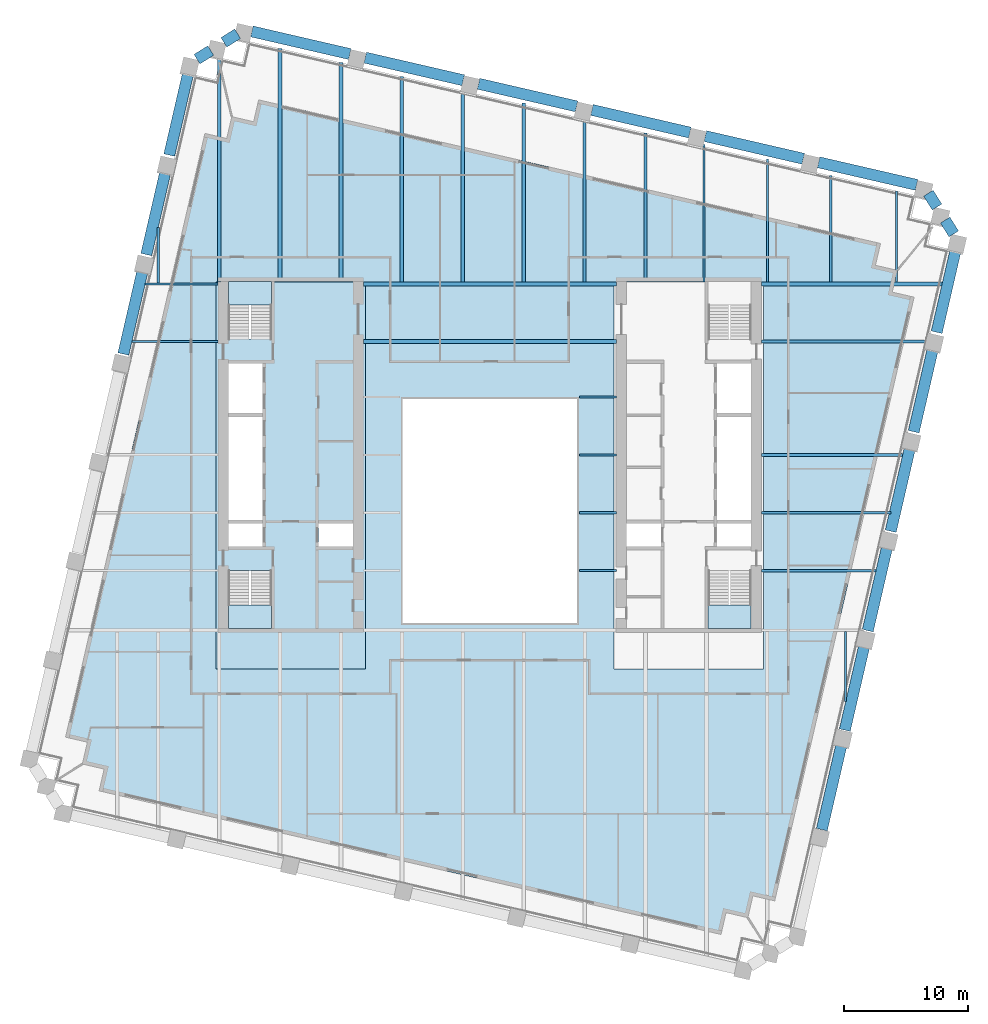
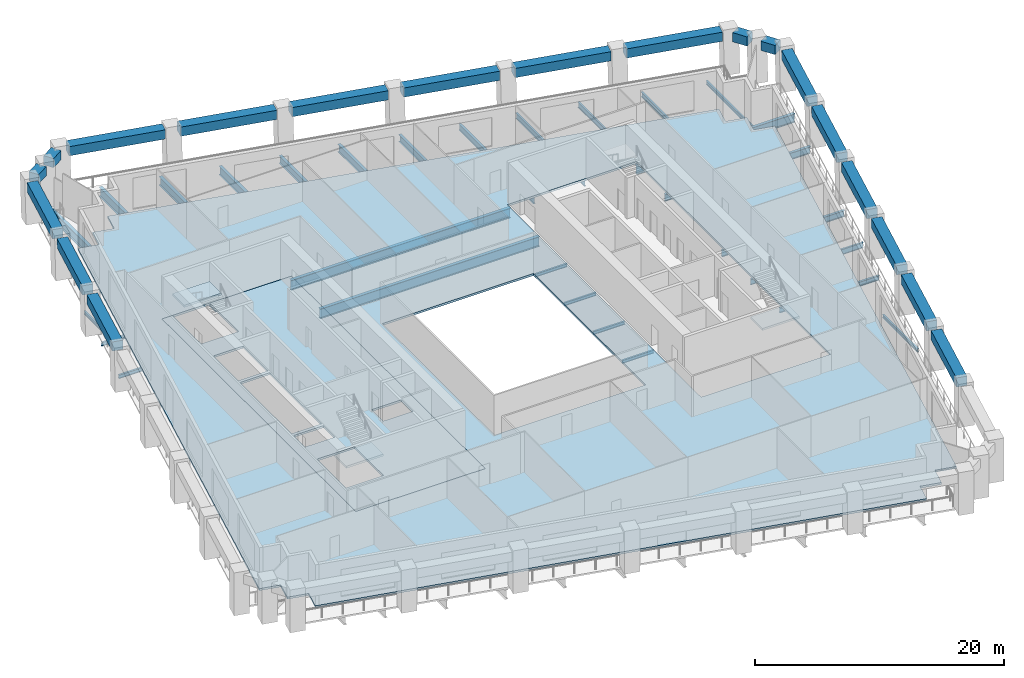
# One storey, part 2 of 9: 46 beams, 5 slabs, 3 elements without a shape of their own.
"""IFC4 building model written with IfcOpenShell, lengths in metres."""

from ifc_helpers import new_model, si_unit, direction, frame, origin, origin_2d, place, context, subcontext, project, spatial, polyline, rectangle, i_section, outline, extrude, material, layer, layer_set, material_profile, profile_set, type_object, element, aggregate, save


model = new_model("IFC4")

# Units and contexts
model_context = context("Model", 3, precision=1e-05, world=origin(), true_north=direction((0.0, 1.0)))
body_context = subcontext(model_context, "Body", "Model", "MODEL_VIEW")
ifc_project = project(units=[si_unit("LENGTHUNIT", "METRE"), si_unit("AREAUNIT", "SQUARE_METRE"), si_unit("VOLUMEUNIT", "CUBIC_METRE"), si_unit("PLANEANGLEUNIT", "RADIAN"), si_unit("MASSUNIT", "GRAM", prefix="KILO")], contexts=[model_context])

# Site, building, storey
site_placement = place(None, origin())
site = spatial("IfcSite", under=ifc_project, at=site_placement, CompositionType="ELEMENT")
building_placement = place(site_placement, origin())
building = spatial("IfcBuilding", under=site, at=building_placement, Name="Ogive Exchange Tower", CompositionType="ELEMENT")
storey_placement = place(building_placement, frame((0.0, 0.0, 126.60009765625)))
storey = spatial("IfcBuildingStorey", under=building, at=storey_placement, Name="L27", CompositionType="ELEMENT", Elevation=126.60009765625)

# Beams
ifc_material_1 = material(Name="Steel ASTM A992 Gr50", Category="steel")
ifc_material_profile_1 = material_profile(ifc_material_1, i_section(OverallWidth=0.300048828125, OverallDepth=0.969970703125, WebThickness=0.01611328125, FlangeThickness=0.02099609375, at=origin_2d()), Name="W1000x222")
ifc_profile_set_1 = profile_set([ifc_material_profile_1], Name="Steel ASTM A992 Gr50")
beam_type_1 = type_object("IfcBeamType", Name="Floor beam W1000x222", PredefinedType="JOIST", material=ifc_profile_set_1)
beam_1_placement = place(storey_placement, frame((-10.169921875, 20.62255859375, -0.68505859375), z_axis=(1.0, 0.0, 0.0), x_axis=(0.0, 1.0, 0.0)))
element("IfcBeam", 1, at=beam_1_placement, inside=storey, type_object=beam_type_1, Name="Floor beam", PredefinedType="JOIST", context=body_context, shape_type="SweptSolid", body=[
    extrude(i_section(OverallWidth=0.300048828125, OverallDepth=0.969970703125, WebThickness=0.01611328125, FlangeThickness=0.02099609375, at=origin_2d()), origin(), (0.0, 0.0, 1.0), 20.33984375),
])
ifc_material_profile_2 = material_profile(ifc_material_1, i_section(OverallWidth=0.1650390625, OverallDepth=0.31005859375, WebThickness=0.005859375, FlangeThickness=0.009765625, at=origin_2d()), Name="W310x38.7")
ifc_profile_set_2 = profile_set([ifc_material_profile_2], Name="Steel ASTM A992 Gr50")
beam_type_2 = type_object("IfcBeamType", Name="Floor beam W310x38.7", PredefinedType="JOIST", material=ifc_profile_set_2)
for number, where, z_axis, x_axis, name in (
    (2, (7.219970703125, 2.208740234375, -0.35498046875), (1.0, 0.0, 0.0), (0.0, 1.0, 0.0), "Floor beam"),
    (3, (7.219970703125, 6.857421875, -0.35498046875), (1.0, 0.0, 0.0), (0.0, 1.0, 0.0), "Floor beam"),
    (4, (7.219970703125, 11.50634765625, -0.35498046875), (1.0, 0.0, 0.0), (0.0, 1.0, 0.0), "Floor beam"),
):
    element("IfcBeam", number, at=place(storey_placement, frame(where, z_axis=z_axis, x_axis=x_axis)), inside=storey, type_object=beam_type_2, Name=name, PredefinedType="JOIST", context=body_context, shape_type="SweptSolid", body=[
        extrude(i_section(OverallWidth=0.1650390625, OverallDepth=0.31005859375, WebThickness=0.005859375, FlangeThickness=0.009765625, at=origin_2d()), origin(), (0.0, 0.0, 1.0), 2.949951171875),
    ])
beam_2_placement = place(storey_placement, frame((28.601318359375, -8.310546875, -0.35498046875), z_axis=(0.0, 1.0, 0.0), x_axis=(-1.0, 0.0, 0.0)))
element("IfcBeam", 5, at=beam_2_placement, inside=storey, type_object=beam_type_2, Name="Floor beam", PredefinedType="JOIST", context=body_context, shape_type="SweptSolid", body=[
    extrude(i_section(OverallWidth=0.1650390625, OverallDepth=0.31005859375, WebThickness=0.005859375, FlangeThickness=0.009765625, at=origin_2d()), origin(), (0.0, 0.0, 1.0), 5.61962890625),
])
beam_3_placement = place(storey_placement, frame((-26.6494140625, 25.33056640625, -0.35498046875), z_axis=(0.0, 1.0, 0.0), x_axis=(-1.0, 0.0, 0.0)))
element("IfcBeam", 6, at=beam_3_placement, inside=storey, type_object=beam_type_2, Name="Floor beam", PredefinedType="JOIST", context=body_context, shape_type="SweptSolid", body=[
    extrude(i_section(OverallWidth=0.1650390625, OverallDepth=0.31005859375, WebThickness=0.005859375, FlangeThickness=0.009765625, at=origin_2d()), origin(), (0.0, 0.0, 1.0), 4.435546875),
])
ifc_material_profile_3 = material_profile(ifc_material_1, i_section(OverallWidth=0.1708984375, OverallDepth=0.35595703125, WebThickness=0.00732421875, FlangeThickness=0.01171875, at=origin_2d()), Name="W360x51")
ifc_profile_set_3 = profile_set([ifc_material_profile_3], Name="Steel ASTM A992 Gr50")
beam_type_3 = type_object("IfcBeamType", Name="Floor beam W360x51", PredefinedType="JOIST", material=ifc_profile_set_3)
beam_4_placement = place(storey_placement, frame((-28.76025390625, 20.62255859375, -0.378173828125), z_axis=(1.0, 0.0, 0.0), x_axis=(0.0, 1.0, 0.0)))
element("IfcBeam", 7, at=beam_4_placement, inside=storey, type_object=beam_type_3, Name="Floor beam", PredefinedType="JOIST", context=body_context, shape_type="SweptSolid", body=[
    extrude(i_section(OverallWidth=0.1708984375, OverallDepth=0.35595703125, WebThickness=0.00732421875, FlangeThickness=0.01171875, at=origin_2d()), origin(), (0.0, 0.0, 1.0), 6.93017578125),
])
beam_5_placement = place(storey_placement, frame((32.697021484375, 25.39111328125, -0.378173828125), z_axis=(0.0, 1.0, 0.0), x_axis=(-1.0, 0.0, 0.0)))
element("IfcBeam", 8, at=beam_5_placement, inside=storey, type_object=beam_type_3, Name="Floor beam", PredefinedType="JOIST", context=body_context, shape_type="SweptSolid", body=[
    extrude(i_section(OverallWidth=0.1708984375, OverallDepth=0.35595703125, WebThickness=0.00732421875, FlangeThickness=0.01171875, at=origin_2d()), origin(), (0.0, 0.0, 1.0), 7.330322265625),
])
ifc_material_profile_4 = material_profile(ifc_material_1, i_section(OverallWidth=0.19091796875, OverallDepth=0.45703125, WebThickness=0.009033203125, FlangeThickness=0.014404296875, at=origin_2d()), Name="W460x74")
ifc_profile_set_4 = profile_set([ifc_material_profile_4], Name="Steel ASTM A992 Gr50")
beam_type_4 = type_object("IfcBeamType", Name="Floor beam W460x74", PredefinedType="JOIST", material=ifc_profile_set_4)
beam_6_placement = place(storey_placement, frame((21.830078125, 2.208740234375, -0.4287109375), z_axis=(1.0, 0.0, 0.0), x_axis=(0.0, 1.0, 0.0)))
element("IfcBeam", 9, at=beam_6_placement, inside=storey, type_object=beam_type_4, Name="Floor beam", PredefinedType="JOIST", context=body_context, shape_type="SweptSolid", body=[
    extrude(i_section(OverallWidth=0.19091796875, OverallDepth=0.45703125, WebThickness=0.009033203125, FlangeThickness=0.014404296875, at=origin_2d()), origin(), (0.0, 0.0, 1.0), 9.199951171875),
])
beam_7_placement = place(storey_placement, frame((27.4013671875, 25.39111328125, -0.4287109375), z_axis=(0.0, 1.0, 0.0), x_axis=(-1.0, 0.0, 0.0)))
element("IfcBeam", 10, at=beam_7_placement, inside=storey, type_object=beam_type_4, Name="Floor beam", PredefinedType="JOIST", context=body_context, shape_type="SweptSolid", body=[
    extrude(i_section(OverallWidth=0.19091796875, OverallDepth=0.45703125, WebThickness=0.009033203125, FlangeThickness=0.014404296875, at=origin_2d()), origin(), (0.0, 0.0, 1.0), 8.552978515625),
])
ifc_material_profile_5 = material_profile(ifc_material_1, i_section(OverallWidth=0.1669921875, OverallDepth=0.535888671875, WebThickness=0.01025390625, FlangeThickness=0.0166015625, at=origin_2d()), Name="W530x85")
ifc_profile_set_5 = profile_set([ifc_material_profile_5], Name="Steel ASTM A992 Gr50")
beam_type_5 = type_object("IfcBeamType", Name="Floor beam W530x85", PredefinedType="JOIST", material=ifc_profile_set_5)
beam_8_placement = place(storey_placement, frame((21.830078125, 6.857421875, -0.468017578125), z_axis=(1.0, 0.0, 0.0), x_axis=(0.0, 1.0, 0.0)))
element("IfcBeam", 11, at=beam_8_placement, inside=storey, type_object=beam_type_5, Name="Floor beam", PredefinedType="JOIST", context=body_context, shape_type="SweptSolid", body=[
    extrude(i_section(OverallWidth=0.1669921875, OverallDepth=0.535888671875, WebThickness=0.01025390625, FlangeThickness=0.0166015625, at=origin_2d()), origin(), (0.0, 0.0, 1.0), 10.423095703125),
])
beam_9_placement = place(storey_placement, frame((17.21044921875, 25.39990234375, -0.468017578125), z_axis=(0.0, 1.0, 0.0), x_axis=(-1.0, 0.0, 0.0)))
element("IfcBeam", 12, at=beam_9_placement, inside=storey, type_object=beam_type_5, Name="Floor beam", PredefinedType="JOIST", context=body_context, shape_type="SweptSolid", body=[
    extrude(i_section(OverallWidth=0.1669921875, OverallDepth=0.535888671875, WebThickness=0.01025390625, FlangeThickness=0.0166015625, at=origin_2d()), origin(), (0.0, 0.0, 1.0), 11.046875),
])
beam_10_placement = place(storey_placement, frame((22.305908203125, 25.39111328125, -0.468017578125), z_axis=(0.0, 1.0, 0.0), x_axis=(-1.0, 0.0, 0.0)))
element("IfcBeam", 13, at=beam_10_placement, inside=storey, type_object=beam_type_5, Name="Floor beam", PredefinedType="JOIST", context=body_context, shape_type="SweptSolid", body=[
    extrude(i_section(OverallWidth=0.1669921875, OverallDepth=0.535888671875, WebThickness=0.01025390625, FlangeThickness=0.0166015625, at=origin_2d()), origin(), (0.0, 0.0, 1.0), 9.879150390625),
])
ifc_material_profile_6 = material_profile(ifc_material_1, i_section(OverallWidth=0.22802734375, OverallDepth=0.60205078125, WebThickness=0.010498046875, FlangeThickness=0.014892578125, at=origin_2d()), Name="W610x101")
ifc_profile_set_6 = profile_set([ifc_material_profile_6], Name="Steel ASTM A992 Gr50")
beam_type_6 = type_object("IfcBeamType", Name="Floor beam W610x101", PredefinedType="JOIST", material=ifc_profile_set_6)
beam_11_placement = place(storey_placement, frame((21.830078125, 11.50634765625, -0.5009765625), z_axis=(1.0, 0.0, 0.0), x_axis=(0.0, 1.0, 0.0)))
element("IfcBeam", 14, at=beam_11_placement, inside=storey, type_object=beam_type_6, Name="Floor beam", PredefinedType="JOIST", context=body_context, shape_type="SweptSolid", body=[
    extrude(i_section(OverallWidth=0.22802734375, OverallDepth=0.60205078125, WebThickness=0.010498046875, FlangeThickness=0.014892578125, at=origin_2d()), origin(), (0.0, 0.0, 1.0), 11.346435546875),
])
beam_12_placement = place(storey_placement, frame((12.514892578125, 25.39990234375, -0.5009765625), z_axis=(0.0, 1.0, 0.0), x_axis=(-1.0, 0.0, 0.0)))
element("IfcBeam", 15, at=beam_12_placement, inside=storey, type_object=beam_type_6, Name="Floor beam", PredefinedType="JOIST", context=body_context, shape_type="SweptSolid", body=[
    extrude(i_section(OverallWidth=0.22802734375, OverallDepth=0.60205078125, WebThickness=0.010498046875, FlangeThickness=0.014892578125, at=origin_2d()), origin(), (0.0, 0.0, 1.0), 11.98095703125),
])
ifc_material_profile_7 = material_profile(ifc_material_1, i_section(OverallWidth=0.25390625, OverallDepth=0.677978515625, WebThickness=0.01171875, FlangeThickness=0.016357421875, at=origin_2d()), Name="W690x125")
ifc_profile_set_7 = profile_set([ifc_material_profile_7], Name="Steel ASTM A992 Gr50")
beam_type_7 = type_object("IfcBeamType", Name="Floor beam W690x125", PredefinedType="JOIST", material=ifc_profile_set_7)
beam_13_placement = place(storey_placement, frame((21.830078125, 20.62255859375, -0.5390625), z_axis=(1.0, 0.0, 0.0), x_axis=(0.0, 1.0, 0.0)))
element("IfcBeam", 16, at=beam_13_placement, inside=storey, type_object=beam_type_7, Name="Floor beam", PredefinedType="JOIST", context=body_context, shape_type="SweptSolid", body=[
    extrude(i_section(OverallWidth=0.25390625, OverallDepth=0.677978515625, WebThickness=0.01171875, FlangeThickness=0.016357421875, at=origin_2d()), origin(), (0.0, 0.0, 1.0), 13.450927734375),
])
beam_14_placement = place(storey_placement, frame((7.619384765625, 25.39501953125, -0.5390625), z_axis=(0.0, 1.0, 0.0), x_axis=(-1.0, 0.0, 0.0)))
element("IfcBeam", 17, at=beam_14_placement, inside=storey, type_object=beam_type_7, Name="Floor beam", PredefinedType="JOIST", context=body_context, shape_type="SweptSolid", body=[
    extrude(i_section(OverallWidth=0.25390625, OverallDepth=0.677978515625, WebThickness=0.01171875, FlangeThickness=0.016357421875, at=origin_2d()), origin(), (0.0, 0.0, 1.0), 13.115966796875),
])
ifc_material_profile_8 = material_profile(ifc_material_1, i_section(OverallWidth=0.26708984375, OverallDepth=0.75390625, WebThickness=0.01318359375, FlangeThickness=0.01708984375, at=origin_2d()), Name="W760x147")
ifc_profile_set_8 = profile_set([ifc_material_profile_8], Name="Steel ASTM A992 Gr50")
beam_type_8 = type_object("IfcBeamType", Name="Floor beam W760x147", PredefinedType="JOIST", material=ifc_profile_set_8)
beam_15_placement = place(storey_placement, frame((-2.171630859375, 25.39501953125, -0.5771484375), z_axis=(0.0, 1.0, 0.0), x_axis=(-1.0, 0.0, 0.0)))
element("IfcBeam", 18, at=beam_15_placement, inside=storey, type_object=beam_type_8, Name="Floor beam", PredefinedType="JOIST", context=body_context, shape_type="SweptSolid", body=[
    extrude(i_section(OverallWidth=0.26708984375, OverallDepth=0.75390625, WebThickness=0.01318359375, FlangeThickness=0.01708984375, at=origin_2d()), origin(), (0.0, 0.0, 1.0), 15.37646484375),
])
beam_16_placement = place(storey_placement, frame((2.723876953125, 25.39501953125, -0.5771484375), z_axis=(0.0, 1.0, 0.0), x_axis=(-1.0, 0.0, 0.0)))
element("IfcBeam", 19, at=beam_16_placement, inside=storey, type_object=beam_type_8, Name="Floor beam", PredefinedType="JOIST", context=body_context, shape_type="SweptSolid", body=[
    extrude(i_section(OverallWidth=0.26708984375, OverallDepth=0.75390625, WebThickness=0.01318359375, FlangeThickness=0.01708984375, at=origin_2d()), origin(), (0.0, 0.0, 1.0), 14.396240234375),
])
ifc_material_profile_9 = material_profile(ifc_material_1, i_section(OverallWidth=0.2919921875, OverallDepth=0.8359375, WebThickness=0.013916015625, FlangeThickness=0.018798828125, at=origin_2d()), Name="W840x176")
ifc_profile_set_9 = profile_set([ifc_material_profile_9], Name="Steel ASTM A992 Gr50")
beam_type_9 = type_object("IfcBeamType", Name="Floor beam W840x176", PredefinedType="JOIST", material=ifc_profile_set_9)
beam_17_placement = place(storey_placement, frame((-7.067138671875, 25.39501953125, -0.6181640625), z_axis=(0.0, 1.0, 0.0), x_axis=(-1.0, 0.0, 0.0)))
element("IfcBeam", 20, at=beam_17_placement, inside=storey, type_object=beam_type_9, Name="Floor beam", PredefinedType="JOIST", context=body_context, shape_type="SweptSolid", body=[
    extrude(i_section(OverallWidth=0.2919921875, OverallDepth=0.8359375, WebThickness=0.013916015625, FlangeThickness=0.018798828125, at=origin_2d()), origin(), (0.0, 0.0, 1.0), 16.506591796875),
])
ifc_material_profile_10 = material_profile(ifc_material_1, i_section(OverallWidth=0.2919921875, OverallDepth=0.845947265625, WebThickness=0.015380859375, FlangeThickness=0.0244140625, at=origin_2d()), Name="W840x210")
ifc_profile_set_10 = profile_set([ifc_material_profile_10], Name="Steel ASTM A992 Gr50")
beam_type_10 = type_object("IfcBeamType", Name="Floor beam W840x210", PredefinedType="JOIST", material=ifc_profile_set_10)
beam_18_placement = place(storey_placement, frame((-11.962646484375, 25.39990234375, -0.623046875), z_axis=(0.0, 1.0, 0.0), x_axis=(-1.0, 0.0, 0.0)))
element("IfcBeam", 21, at=beam_18_placement, inside=storey, type_object=beam_type_10, Name="Floor beam", PredefinedType="JOIST", context=body_context, shape_type="SweptSolid", body=[
    extrude(i_section(OverallWidth=0.2919921875, OverallDepth=0.845947265625, WebThickness=0.015380859375, FlangeThickness=0.0244140625, at=origin_2d()), origin(), (0.0, 0.0, 1.0), 17.632080078125),
])
ifc_material_profile_11 = material_profile(ifc_material_1, i_section(OverallWidth=0.304931640625, OverallDepth=0.904052734375, WebThickness=0.01513671875, FlangeThickness=0.02001953125, at=origin_2d()), Name="W920x201")
ifc_profile_set_11 = profile_set([ifc_material_profile_11], Name="Steel ASTM A992 Gr50")
beam_type_11 = type_object("IfcBeamType", Name="Floor beam W920x201", PredefinedType="JOIST", material=ifc_profile_set_11)
beam_19_placement = place(storey_placement, frame((-21.753662109375, 25.39990234375, -0.652099609375), z_axis=(0.0, 1.0, 0.0), x_axis=(-1.0, 0.0, 0.0)))
element("IfcBeam", 22, at=beam_19_placement, inside=storey, type_object=beam_type_11, Name="Floor beam", PredefinedType="JOIST", context=body_context, shape_type="SweptSolid", body=[
    extrude(i_section(OverallWidth=0.304931640625, OverallDepth=0.904052734375, WebThickness=0.01513671875, FlangeThickness=0.02001953125, at=origin_2d()), origin(), (0.0, 0.0, 1.0), 17.98974609375),
])
beam_20_placement = place(storey_placement, frame((-16.858154296875, 25.39990234375, -0.652099609375), z_axis=(0.0, 1.0, 0.0), x_axis=(-1.0, 0.0, 0.0)))
element("IfcBeam", 23, at=beam_20_placement, inside=storey, type_object=beam_type_11, Name="Floor beam", PredefinedType="JOIST", context=body_context, shape_type="SweptSolid", body=[
    extrude(i_section(OverallWidth=0.304931640625, OverallDepth=0.904052734375, WebThickness=0.01513671875, FlangeThickness=0.02001953125, at=origin_2d()), origin(), (0.0, 0.0, 1.0), 18.76220703125),
])
ifc_material_profile_12 = material_profile(ifc_material_1, i_section(OverallWidth=0.300048828125, OverallDepth=0.97998046875, WebThickness=0.0166015625, FlangeThickness=0.026123046875, at=origin_2d()), Name="W1000x249")
ifc_profile_set_12 = profile_set([ifc_material_profile_12], Name="Steel ASTM A992 Gr50")
beam_type_12 = type_object("IfcBeamType", Name="Girder W1000x249", PredefinedType="BEAM", material=ifc_profile_set_12)
beam_21_placement = place(storey_placement, frame((-10.169921875, 25.2451171875, -0.690185546875), z_axis=(1.0, 0.0, 0.0), x_axis=(0.0, 1.0, 0.0)))
element("IfcBeam", 24, at=beam_21_placement, inside=storey, type_object=beam_type_12, Name="Header girder", PredefinedType="BEAM", context=body_context, shape_type="SweptSolid", body=[
    extrude(i_section(OverallWidth=0.300048828125, OverallDepth=0.97998046875, WebThickness=0.0166015625, FlangeThickness=0.026123046875, at=origin_2d()), origin(), (0.0, 0.0, 1.0), 20.33984375),
])
ifc_material_profile_13 = material_profile(ifc_material_1, i_section(OverallWidth=0.1650390625, OverallDepth=0.31005859375, WebThickness=0.005859375, FlangeThickness=0.009765625, at=origin_2d()), Name="W310x38.7")
ifc_profile_set_13 = profile_set([ifc_material_profile_13], Name="Steel ASTM A992 Gr50")
beam_type_13 = type_object("IfcBeamType", Name="Girder W310x38.7", PredefinedType="BEAM", material=ifc_profile_set_13)
beam_22_placement = place(storey_placement, frame((7.219970703125, 16.155029296875, -0.35498046875), z_axis=(1.0, 0.0, 0.0), x_axis=(0.0, 1.0, 0.0)))
element("IfcBeam", 25, at=beam_22_placement, inside=storey, type_object=beam_type_13, Name="Trimmer girder", PredefinedType="BEAM", context=body_context, shape_type="SweptSolid", body=[
    extrude(i_section(OverallWidth=0.1650390625, OverallDepth=0.31005859375, WebThickness=0.005859375, FlangeThickness=0.009765625, at=origin_2d()), origin(), (0.0, 0.0, 1.0), 2.949951171875),
])
ifc_material_profile_14 = material_profile(ifc_material_1, i_section(OverallWidth=0.1708984375, OverallDepth=0.35595703125, WebThickness=0.00732421875, FlangeThickness=0.01171875, at=origin_2d()), Name="W360x51")
ifc_profile_set_14 = profile_set([ifc_material_profile_14], Name="Steel ASTM A992 Gr50")
beam_type_14 = type_object("IfcBeamType", Name="Girder W360x51", PredefinedType="BEAM", material=ifc_profile_set_14)
beam_23_placement = place(storey_placement, frame((-27.693115234375, 25.2451171875, -0.378173828125), z_axis=(1.0, 0.0, 0.0), x_axis=(0.0, 1.0, 0.0)))
element("IfcBeam", 26, at=beam_23_placement, inside=storey, type_object=beam_type_14, Name="Header girder", PredefinedType="BEAM", context=body_context, shape_type="SweptSolid", body=[
    extrude(i_section(OverallWidth=0.1708984375, OverallDepth=0.35595703125, WebThickness=0.00732421875, FlangeThickness=0.01171875, at=origin_2d()), origin(), (0.0, 0.0, 1.0), 5.863037109375),
])
ifc_material_profile_15 = material_profile(ifc_material_1, i_section(OverallWidth=0.2919921875, OverallDepth=0.8359375, WebThickness=0.013916015625, FlangeThickness=0.018798828125, at=origin_2d()), Name="W840x176")
ifc_profile_set_15 = profile_set([ifc_material_profile_15], Name="Steel ASTM A992 Gr50")
beam_type_15 = type_object("IfcBeamType", Name="Girder W840x176", PredefinedType="BEAM", material=ifc_profile_set_15)
beam_24_placement = place(storey_placement, frame((21.830078125, 25.2451171875, -0.6181640625), z_axis=(1.0, 0.0, 0.0), x_axis=(0.0, 1.0, 0.0)))
element("IfcBeam", 27, at=beam_24_placement, inside=storey, type_object=beam_type_15, Name="Header girder", PredefinedType="BEAM", context=body_context, shape_type="SweptSolid", body=[
    extrude(i_section(OverallWidth=0.2919921875, OverallDepth=0.8359375, WebThickness=0.013916015625, FlangeThickness=0.018798828125, at=origin_2d()), origin(), (0.0, 0.0, 1.0), 14.668212890625),
])
ifc_material_2 = material(Name="Precast concrete C70/85 (limestone faced)", Category="masonry")
ifc_material_profile_16 = material_profile(ifc_material_2, rectangle(XDim=0.89990234375, YDim=0.89990234375, at=origin_2d()), Name="900 x 900")
ifc_profile_set_16 = profile_set([ifc_material_profile_16], Name="Precast concrete C70/85 (limestone faced)")
beam_type_16 = type_object("IfcBeamType", Name="Precast spandrel 900 x 900 C70/85", PredefinedType="SPANDREL", material=ifc_profile_set_16)
for number, where, z_axis, x_axis, name in (
    (28, (26.68505859375, -18.611328125, 3.5), (0.22496989691, 0.974365714444, 0.0), (-0.974365714444, 0.22496989691, 0.0), "Spandrel 10"),
    (29, (28.531005859375, -10.616455078125, 3.5), (0.224936524038, 0.974373419256, 0.0), (-0.974373419256, 0.224936524038, 0.0), "Spandrel 11"),
    (30, (30.376708984375, -2.62158203125, 3.5), (0.224936524038, 0.974373419256, 0.0), (-0.974373419256, 0.224936524038, 0.0), "Spandrel 12"),
    (31, (32.222412109375, 5.373291015625, 3.5), (0.22496989691, 0.974365714444, 0.0), (-0.974365714444, 0.22496989691, 0.0), "Spandrel 13"),
):
    element("IfcBeam", number, at=place(storey_placement, frame(where, z_axis=z_axis, x_axis=x_axis)), inside=storey, type_object=beam_type_16, Name=name, PredefinedType="SPANDREL", context=body_context, shape_type="SweptSolid", body=[
        extrude(rectangle(XDim=0.89990234375, YDim=0.89990234375, at=origin_2d()), origin(), (0.0, 0.0, 1.0), 6.9453125),
    ])
for number, where, z_axis, x_axis, name in (
    (32, (34.068115234375, 13.368408203125, 3.5), (0.22497760249, 0.974363935282, 0.0), (-0.974363935282, 0.22497760249, 0.0), "Spandrel 14"),
    (33, (35.9140625, 21.36328125, 3.5), (0.224944228597, 0.974371640608, 0.0), (-0.974371640608, 0.224944228597, 0.0), "Spandrel 15"),
):
    element("IfcBeam", number, at=place(storey_placement, frame(where, z_axis=z_axis, x_axis=x_axis)), inside=storey, type_object=beam_type_16, Name=name, PredefinedType="SPANDREL", context=body_context, shape_type="SweptSolid", body=[
        extrude(rectangle(XDim=0.89990234375, YDim=0.89990234375, at=origin_2d()), origin(), (0.0, 0.0, 1.0), 6.945068359375),
    ])
for number, where, z_axis, x_axis, name in (
    (34, (37.289794921875, 29.269287109375, 3.5), (-0.529847842077, 0.848092721491, 0.0), (-0.848092721491, -0.529847842077, 0.0), "Spandrel 16"),
    (35, (35.94091796875, 31.42822265625, 3.5), (-0.529931776808, 0.848040277303, 0.0), (-0.848040277303, -0.529931776808, 0.0), "Spandrel 17"),
):
    element("IfcBeam", number, at=place(storey_placement, frame(where, z_axis=z_axis, x_axis=x_axis)), inside=storey, type_object=beam_type_16, Name=name, PredefinedType="SPANDREL", context=body_context, shape_type="SweptSolid", body=[
        extrude(rectangle(XDim=0.89990234375, YDim=0.89990234375, at=origin_2d()), origin(), (0.0, 0.0, 1.0), 1.30712890625),
    ])
beam_25_placement = place(storey_placement, frame((34.306396484375, 33.20361328125, 3.5), z_axis=(-0.974371864918, 0.224943256972, 0.0), x_axis=(-0.224943256972, -0.974371864918, 0.0)))
element("IfcBeam", 36, at=beam_25_placement, inside=storey, type_object=beam_type_16, Name="Spandrel 18", PredefinedType="SPANDREL", context=body_context, shape_type="SweptSolid", body=[
    extrude(rectangle(XDim=0.89990234375, YDim=0.89990234375, at=origin_2d()), origin(), (0.0, 0.0, 1.0), 8.090087890625),
])
for number, where, z_axis, x_axis, name in (
    (37, (25.19580078125, 35.306884765625, 3.5), (-0.974370337884, 0.224949871421, 0.0), (-0.224949871421, -0.974370337884, 0.0), "Spandrel 19"),
    (38, (16.08544921875, 37.41015625, 3.5), (-0.974370337884, 0.224949871421, 0.0), (-0.224949871421, -0.974370337884, 0.0), "Spandrel 20"),
    (39, (6.97509765625, 39.513427734375, 3.5), (-0.974370337884, 0.224949871421, 0.0), (-0.224949871421, -0.974370337884, 0.0), "Spandrel 21"),
    (40, (-2.13525390625, 41.61669921875, 3.5), (-0.974370337884, 0.224949871421, 0.0), (-0.224949871421, -0.974370337884, 0.0), "Spandrel 22"),
    (41, (-11.24560546875, 43.719970703125, 3.5), (-0.974370337884, 0.224949871421, 0.0), (-0.224949871421, -0.974370337884, 0.0), "Spandrel 23"),
):
    element("IfcBeam", number, at=place(storey_placement, frame(where, z_axis=z_axis, x_axis=x_axis)), inside=storey, type_object=beam_type_16, Name=name, PredefinedType="SPANDREL", context=body_context, shape_type="SweptSolid", body=[
        extrude(rectangle(XDim=0.89990234375, YDim=0.89990234375, at=origin_2d()), origin(), (0.0, 0.0, 1.0), 8.08984375),
    ])
for number, where, z_axis, x_axis, name in (
    (42, (-20.26708984375, 45.353515625, 3.5), (-0.848092721491, -0.529847842077, 0.0), (0.529847842077, -0.848092721491, 0.0), "Spandrel 24"),
    (43, (-22.426025390625, 44.00439453125, 3.5), (-0.848040277303, -0.529931776808, 0.0), (0.529931776808, -0.848040277303, 0.0), "Spandrel 25"),
):
    element("IfcBeam", number, at=place(storey_placement, frame(where, z_axis=z_axis, x_axis=x_axis)), inside=storey, type_object=beam_type_16, Name=name, PredefinedType="SPANDREL", context=body_context, shape_type="SweptSolid", body=[
        extrude(rectangle(XDim=0.89990234375, YDim=0.89990234375, at=origin_2d()), origin(), (0.0, 0.0, 1.0), 1.30712890625),
    ])
for number, where, z_axis, x_axis, name in (
    (44, (-24.201416015625, 42.369873046875, 3.5), (-0.224936524038, -0.974373419256, 0.0), (0.974373419256, -0.224936524038, 0.0), "Spandrel 26"),
    (45, (-26.047119140625, 34.375, 3.5), (-0.224936524038, -0.974373419256, 0.0), (0.974373419256, -0.224936524038, 0.0), "Spandrel 27"),
):
    element("IfcBeam", number, at=place(storey_placement, frame(where, z_axis=z_axis, x_axis=x_axis)), inside=storey, type_object=beam_type_16, Name=name, PredefinedType="SPANDREL", context=body_context, shape_type="SweptSolid", body=[
        extrude(rectangle(XDim=0.89990234375, YDim=0.89990234375, at=origin_2d()), origin(), (0.0, 0.0, 1.0), 6.9453125),
    ])
beam_26_placement = place(storey_placement, frame((-27.892822265625, 26.3798828125, 3.5), z_axis=(-0.224944228597, -0.974371640608, 0.0), x_axis=(0.974371640608, -0.224944228597, 0.0)))
element("IfcBeam", 46, at=beam_26_placement, inside=storey, type_object=beam_type_16, Name="Spandrel 28", PredefinedType="SPANDREL", context=body_context, shape_type="SweptSolid", body=[
    extrude(rectangle(XDim=0.89990234375, YDim=0.89990234375, at=origin_2d()), origin(), (0.0, 0.0, 1.0), 6.945068359375),
])

# Slabs
ifc_material_3 = material(Name="Concrete C50/60", Category="concrete")
ifc_layer_1 = layer(ifc_material_3, 0.199951171875)
ifc_layer_set_1 = layer_set([ifc_layer_1], Name="Composite floor slab 200")
slab_type_1 = type_object("IfcSlabType", Name="Composite floor slab 200", PredefinedType="FLOOR", material=ifc_layer_set_1)
slab_1_placement = place(storey_placement, frame((0.0, 0.0, -0.2001953125)))
element("IfcSlab", 47, at=slab_1_placement, inside=storey, type_object=slab_type_1, Name="Composite floor slab", PredefinedType="FLOOR", context=body_context, shape_type="SweptSolid", body=[
    extrude(outline(polyline([(-30.998779296875, -13.74560546875), (-32.752685546875, -13.3408203125), (-32.34765625, -11.5869140625), (-34.1015625, -11.181884765625), (-22.89892578125, 37.341552734375), (-21.145263671875, 36.936767578125), (-20.740234375, 38.690673828125), (-18.986328125, 38.28564453125), (-18.58154296875, 40.03955078125), (31.40380859375, 28.49951171875), (30.998779296875, 26.74560546875), (32.752685546875, 26.3408203125), (32.34765625, 24.5869140625), (34.1015625, 24.181884765625), (22.89892578125, -24.341552734375), (21.145263671875, -23.936767578125), (20.740234375, -25.690673828125), (18.986328125, -25.28564453125), (18.58154296875, -27.03955078125), (-31.40380859375, -15.49951171875), (-30.998779296875, -13.74560546875)]), holes=[polyline([(7.0, -2.0), (7.0, 16.0), (-7.0, 16.0), (-7.0, -2.0), (7.0, -2.0)]), polyline([(-22.0, -5.699951171875), (-10.0, -5.699951171875), (-10.0, 25.39990234375), (-22.0, 25.39990234375), (-22.0, -5.699951171875)]), polyline([(10.0, -5.699951171875), (22.0, -5.699951171875), (22.0, 25.39990234375), (10.0, 25.39990234375), (10.0, -5.699951171875)])]), origin(), (0.0, 0.0, 1.0), 0.2001953125),
])
ifc_material_4 = material(Name="Concrete C70/85", Category="concrete")
ifc_layer_2 = layer(ifc_material_4, 0.199951171875)
ifc_layer_set_2 = layer_set([ifc_layer_2], Name="Core floor slab 200")
slab_type_2 = type_object("IfcSlabType", Name="Core floor slab 200", PredefinedType="FLOOR", material=ifc_layer_set_2)
slab_2_placement = place(storey_placement, frame((0.0, 0.0, -0.2001953125)))
element("IfcSlab", 48, at=slab_2_placement, inside=storey, type_object=slab_type_2, Name="Core floor slab", PredefinedType="FLOOR", context=body_context, shape_type="SweptSolid", body=[
    extrude(outline(polyline([(-10.0, 25.39990234375), (-10.0, -5.699951171875), (-22.0, -5.699951171875), (-22.0, 25.39990234375), (-21.0, 25.39990234375), (-21.0, 20.803955078125), (-17.550048828125, 20.803955078125), (-17.550048828125, 25.39990234375), (-10.0, 25.39990234375)]), holes=[polyline([(-17.550048828125, 2.196044921875), (-21.0, 2.196044921875), (-21.0, -2.449951171875), (-17.550048828125, -2.449951171875), (-17.550048828125, 2.196044921875)]), polyline([(-18.25, 5.992919921875), (-21.0, 5.992919921875), (-21.0, 4.14990234375), (-18.25, 4.14990234375), (-18.25, 5.992919921875)]), polyline([(-11.0, 5.992919921875), (-13.75, 5.992919921875), (-13.75, 4.14990234375), (-11.0, 4.14990234375), (-11.0, 5.992919921875)]), polyline([(-21.0, 14.564208984375), (-21.0, 6.29296875), (-18.25, 6.29296875), (-18.25, 14.564208984375), (-21.0, 14.564208984375)]), polyline([(-18.25, 18.85009765625), (-21.0, 18.85009765625), (-21.0, 14.8642578125), (-18.25, 14.8642578125), (-18.25, 18.85009765625)])]), origin(), (0.0, 0.0, 1.0), 0.2001953125),
])

# Stair, slab
ifc_material_5 = material(Name="Concrete C40/50", Category="concrete")
stair_type = type_object("IfcStairType", Name="Exit stair 1650 wide", PredefinedType="HALF_TURN_STAIR", material=ifc_material_5)
stair_1_placement = place(storey_placement, origin())
stair_1 = element("IfcStair", 49, at=stair_1_placement, inside=storey, type_object=stair_type, Name="L27 exit stair ST1", PredefinedType="HALF_TURN_STAIR")
ifc_layer_3 = layer(ifc_material_5, 0.199951171875)
ifc_layer_set_3 = layer_set([ifc_layer_3], Name="Stair landing 200 slab")
slab_type_3 = type_object("IfcSlabType", Name="Stair landing 200 slab", PredefinedType="LANDING", material=ifc_layer_set_3)
slab_3_placement = place(storey_placement, frame((0.0, 0.0, 1.89990234375)))
slab_3 = element("IfcSlab", 50, at=slab_3_placement, type_object=slab_type_3, Name="ST1 landing 1", PredefinedType="LANDING", context=body_context, shape_type="SweptSolid", body=[
    extrude(outline(polyline([(-21.0, -0.550048828125), (-21.0, -2.449951171875), (-17.550048828125, -2.449951171875), (-17.550048828125, -0.550048828125), (-21.0, -0.550048828125)])), origin(), (0.0, 0.0, 1.0), 0.199951171875),
])
aggregate(stair_1, [slab_3])

stair_2_placement = place(storey_placement, origin())
stair_2 = element("IfcStair", 51, at=stair_2_placement, inside=storey, type_object=stair_type, Name="L27 exit stair ST2", PredefinedType="HALF_TURN_STAIR")
slab_4_placement = place(storey_placement, frame((0.0, 0.0, 1.89990234375)))
slab_4 = element("IfcSlab", 52, at=slab_4_placement, type_object=slab_type_3, Name="ST2 landing 1", PredefinedType="LANDING", context=body_context, shape_type="SweptSolid", body=[
    extrude(outline(polyline([(-17.550048828125, 23.550048828125), (-17.550048828125, 25.449951171875), (-21.0, 25.449951171875), (-21.0, 23.550048828125), (-17.550048828125, 23.550048828125)])), origin(), (0.0, 0.0, 1.0), 0.199951171875),
])
aggregate(stair_2, [slab_4])

stair_3_placement = place(storey_placement, origin())
stair_3 = element("IfcStair", 53, at=stair_3_placement, inside=storey, type_object=stair_type, Name="L27 exit stair ST3", PredefinedType="HALF_TURN_STAIR")
slab_5_placement = place(storey_placement, frame((0.0, 0.0, 1.89990234375)))
slab_5 = element("IfcSlab", 54, at=slab_5_placement, type_object=slab_type_3, Name="ST3 landing 1", PredefinedType="LANDING", context=body_context, shape_type="SweptSolid", body=[
    extrude(outline(polyline([(17.550048828125, -0.550048828125), (17.550048828125, -2.449951171875), (21.0, -2.449951171875), (21.0, -0.550048828125), (17.550048828125, -0.550048828125)])), origin(), (0.0, 0.0, 1.0), 0.199951171875),
])
aggregate(stair_3, [slab_5])

save(model, "model.ifc")
